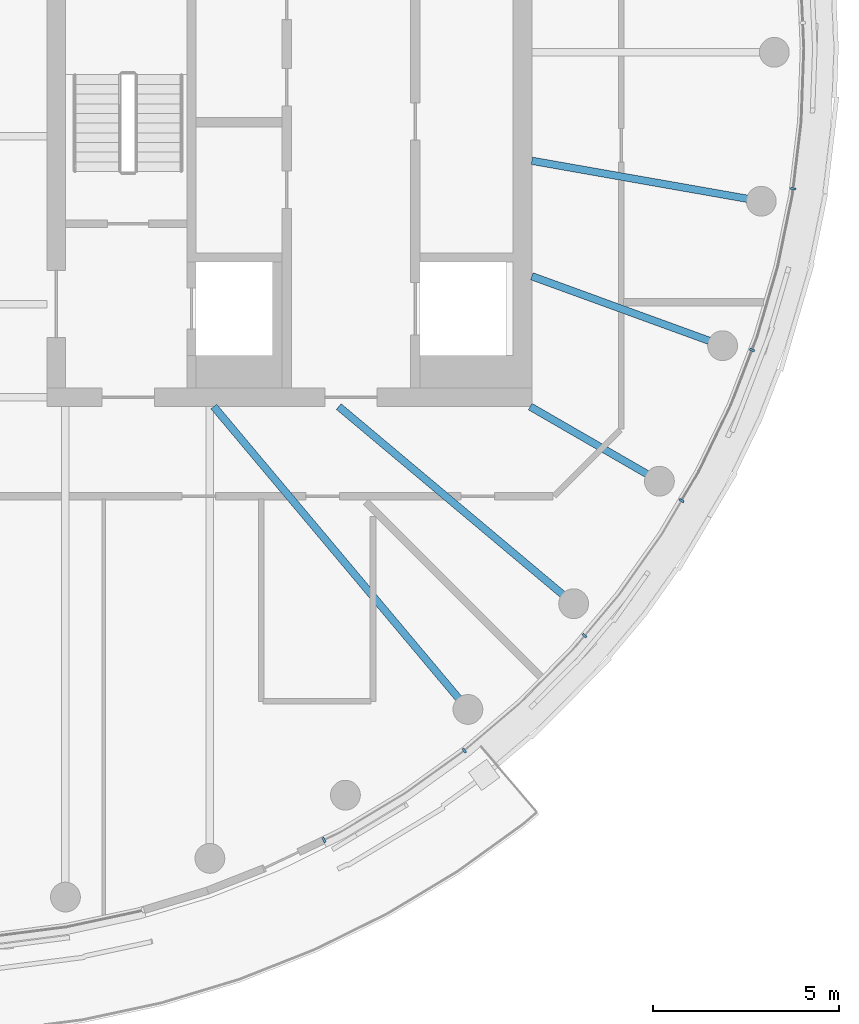
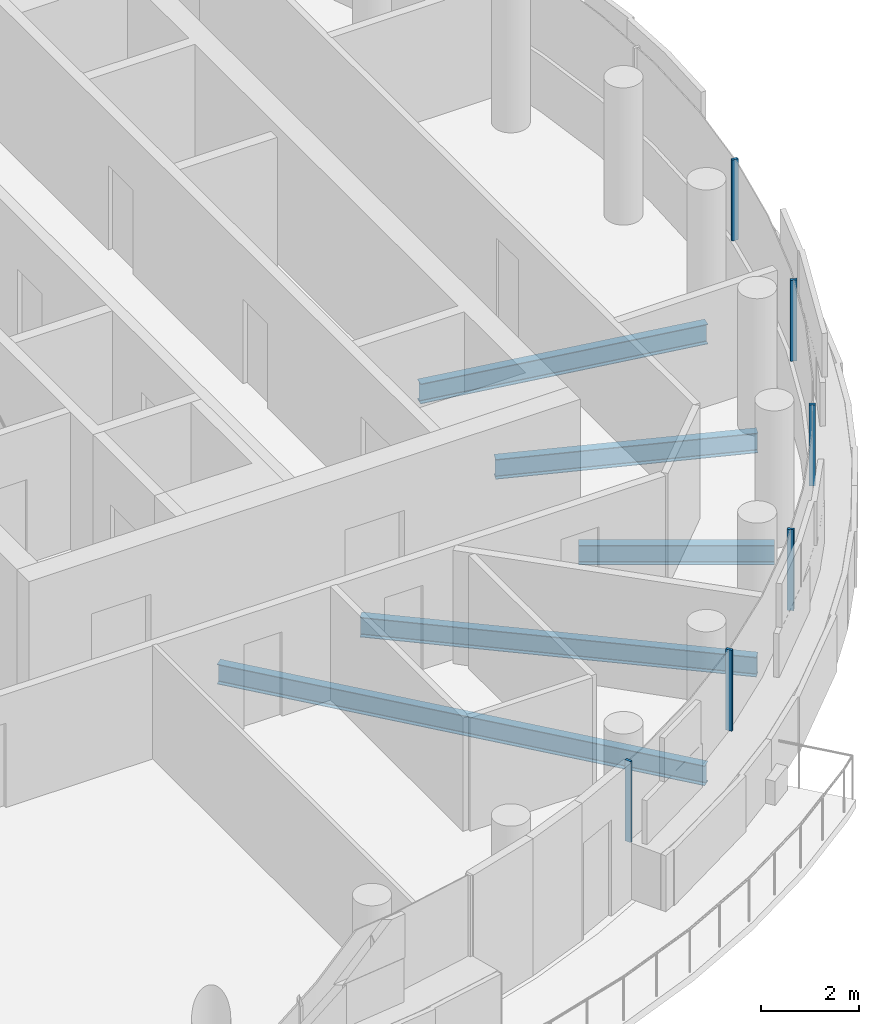
# One storey, part 5 of 20: 6 members, 5 beams, 1 element without a shape of its own.
"""IFC4 building model written with IfcOpenShell, lengths in metres."""

from ifc_helpers import new_model, si_unit, direction, frame, origin, origin_2d, place, context, subcontext, project, spatial, rectangle, i_section, extrude, material, layer, layer_set, material_profile, profile_set, type_object, element, aggregate, save


model = new_model("IFC4")

# Units and contexts
model_context = context("Model", 3, precision=1e-05, world=origin(), true_north=direction((0.0, 1.0)))
body_context = subcontext(model_context, "Body", "Model", "MODEL_VIEW")
ifc_project = project(units=[si_unit("LENGTHUNIT", "METRE"), si_unit("AREAUNIT", "SQUARE_METRE"), si_unit("VOLUMEUNIT", "CUBIC_METRE"), si_unit("PLANEANGLEUNIT", "RADIAN"), si_unit("MASSUNIT", "GRAM", prefix="KILO")], contexts=[model_context])

# Site, building, storey
site_placement = place(None, origin())
site = spatial("IfcSite", under=ifc_project, at=site_placement, CompositionType="ELEMENT")
building_placement = place(site_placement, origin())
building = spatial("IfcBuilding", under=site, at=building_placement, Name="Tamarind Cross Interchange Tower", CompositionType="ELEMENT")
storey_placement = place(building_placement, frame((0.0, 0.0, 274.800048828125)))
storey = spatial("IfcBuildingStorey", under=building, at=storey_placement, Name="L70", CompositionType="ELEMENT", Elevation=274.800048828125)

# Beams
ifc_material_1 = material(Name="Steel Q355B", Category="steel")
ifc_material_profile_1 = material_profile(ifc_material_1, i_section(OverallWidth=0.198974609375, OverallDepth=0.49609375, WebThickness=0.009033203125, FlangeThickness=0.013916015625, FilletRadius=0.012939453125, at=origin_2d()), Name="HN 496x199x9x14")
ifc_profile_set_1 = profile_set([ifc_material_profile_1], Name="Steel Q355B")
beam_type = type_object("IfcBeamType", Name="Composite beam HN 496x199x9x14 Q355B", PredefinedType="BEAM", material=ifc_profile_set_1)
beam_1_placement = place(storey_placement, frame((14.7841796875, -17.619140625, -0.387939453125), z_axis=(-0.642786293979, 0.766045547127, 0.0), x_axis=(-0.766045547127, -0.642786293979, 0.0)))
element("IfcBeam", 1, at=beam_1_placement, inside=storey, type_object=beam_type, Name="Beam HH31", PredefinedType="BEAM", context=body_context, shape_type="SweptSolid", body=[
    extrude(i_section(OverallWidth=0.198974609375, OverallDepth=0.49609375, WebThickness=0.009033203125, FlangeThickness=0.013916015625, FilletRadius=0.012939453125, at=origin_2d()), origin(), (0.0, 0.0, 1.0), 10.598876953125),
])
beam_2_placement = place(storey_placement, frame((17.619140625, -14.7841796875, -0.387939453125), z_axis=(-0.766040580814, 0.642792212574, 0.0), x_axis=(-0.642792212574, -0.766040580814, 0.0)))
element("IfcBeam", 2, at=beam_2_placement, inside=storey, type_object=beam_type, Name="Beam HH32", PredefinedType="BEAM", context=body_context, shape_type="SweptSolid", body=[
    extrude(i_section(OverallWidth=0.198974609375, OverallDepth=0.49609375, WebThickness=0.009033203125, FlangeThickness=0.013916015625, FilletRadius=0.012939453125, at=origin_2d()), origin(), (0.0, 0.0, 1.0), 8.220703125),
])
beam_3_placement = place(storey_placement, frame((19.918701171875, -11.5, -0.387939453125), z_axis=(-0.866026010844, 0.49999894854, 0.0), x_axis=(-0.49999894854, -0.866026010844, 0.0)))
element("IfcBeam", 3, at=beam_3_placement, inside=storey, type_object=beam_type, Name="Beam HH33", PredefinedType="BEAM", context=body_context, shape_type="SweptSolid", body=[
    extrude(i_section(OverallWidth=0.198974609375, OverallDepth=0.49609375, WebThickness=0.009033203125, FlangeThickness=0.013916015625, FilletRadius=0.012939453125, at=origin_2d()), origin(), (0.0, 0.0, 1.0), 4.0),
])
beam_4_placement = place(storey_placement, frame((21.613037109375, -7.866455078125, -0.387939453125), z_axis=(-0.939701685589, 0.341995236956, 0.0), x_axis=(-0.341995236956, -0.939701685589, 0.0)))
element("IfcBeam", 4, at=beam_4_placement, inside=storey, type_object=beam_type, Name="Beam HH34", PredefinedType="BEAM", context=body_context, shape_type="SweptSolid", body=[
    extrude(i_section(OverallWidth=0.198974609375, OverallDepth=0.49609375, WebThickness=0.009033203125, FlangeThickness=0.013916015625, FilletRadius=0.012939453125, at=origin_2d()), origin(), (0.0, 0.0, 1.0), 5.441162109375),
])
beam_5_placement = place(storey_placement, frame((22.650634765625, -3.993896484375, -0.387939453125), z_axis=(-0.984809127561, 0.173640382036, 0.0), x_axis=(-0.173640382036, -0.984809127561, 0.0)))
element("IfcBeam", 5, at=beam_5_placement, inside=storey, type_object=beam_type, Name="Beam HH35", PredefinedType="BEAM", context=body_context, shape_type="SweptSolid", body=[
    extrude(i_section(OverallWidth=0.198974609375, OverallDepth=0.49609375, WebThickness=0.009033203125, FlangeThickness=0.013916015625, FilletRadius=0.012939453125, at=origin_2d()), origin(), (0.0, 0.0, 1.0), 6.24560546875),
])

# Curtain wall, members
ifc_material_2 = material(Name="Aluminium 6063-T6", Category="aluminium")
ifc_layer = layer(ifc_material_2, 0.139892578125)
ifc_layer_set = layer_set([ifc_layer], Name="Aluminium 6063-T6")
curtain_wall_type = type_object("IfcCurtainWallType", Name="Hotel curtain wall, 4.5 m bays", PredefinedType="NOTDEFINED", material=ifc_layer_set)
curtain_wall_placement = place(storey_placement, origin())
curtain_wall = element("IfcCurtainWall", 6, at=curtain_wall_placement, inside=storey, type_object=curtain_wall_type, Name="CWS-L70-01", PredefinedType="NOTDEFINED")
ifc_material_profile_2 = material_profile(ifc_material_2, rectangle(XDim=0.06005859375, YDim=0.139892578125, at=origin_2d()), Name="Mullion CW2")
ifc_profile_set_2 = profile_set([ifc_material_profile_2], Name="Aluminium 6063-T6")
member_type = type_object("IfcMemberType", Name="Mullion CW2", PredefinedType="MULLION", material=ifc_profile_set_2)
member_1_placement = place(storey_placement, frame((10.926025390625, -21.12060546875, 1.39990234375), z_axis=(0.0, 0.0, 1.0), x_axis=(0.896492548518, 0.443058811505, 0.0)))
member_1 = element("IfcMember", 7, at=member_1_placement, type_object=member_type, Name="CWM-L70-01-16", PredefinedType="MULLION", context=body_context, shape_type="SweptSolid", body=[
    extrude(rectangle(XDim=0.06005859375, YDim=0.139892578125, at=origin_2d()), origin(), (0.0, 0.0, 1.0), 2.02001953125),
])
member_2_placement = place(storey_placement, frame((14.686279296875, -18.722412109375, 1.39990234375), z_axis=(0.0, 0.0, 1.0), x_axis=(0.811340475102, 0.584573890505, 0.0)))
member_2 = element("IfcMember", 8, at=member_2_placement, type_object=member_type, Name="CWM-L70-01-17", PredefinedType="MULLION", context=body_context, shape_type="SweptSolid", body=[
    extrude(rectangle(XDim=0.06005859375, YDim=0.139892578125, at=origin_2d()), origin(), (0.0, 0.0, 1.0), 2.02001953125),
])
member_3_placement = place(storey_placement, frame((17.911376953125, -15.64208984375, 1.39990234375), z_axis=(0.0, 0.0, 1.0), x_axis=(0.643009266048, 0.765858396687, 0.0)))
member_3 = element("IfcMember", 9, at=member_3_placement, type_object=member_type, Name="CWM-L70-01-18", PredefinedType="MULLION", context=body_context, shape_type="SweptSolid", body=[
    extrude(rectangle(XDim=0.06005859375, YDim=0.139892578125, at=origin_2d()), origin(), (0.0, 0.0, 1.0), 2.02001953125),
])
member_4_placement = place(storey_placement, frame((20.512939453125, -12.020751953125, 1.39990234375), z_axis=(0.0, 0.0, 1.0), x_axis=(0.508183308752, 0.861248933065, 0.0)))
member_4 = element("IfcMember", 10, at=member_4_placement, type_object=member_type, Name="CWM-L70-01-19", PredefinedType="MULLION", context=body_context, shape_type="SweptSolid", body=[
    extrude(rectangle(XDim=0.06005859375, YDim=0.139892578125, at=origin_2d()), origin(), (0.0, 0.0, 1.0), 2.02001953125),
])
member_5_placement = place(storey_placement, frame((22.403564453125, -7.982666015625, 1.39990234375), z_axis=(0.0, 0.0, 1.0), x_axis=(0.359495435512, 0.933146843667, 0.0)))
member_5 = element("IfcMember", 11, at=member_5_placement, type_object=member_type, Name="CWM-L70-01-20", PredefinedType="MULLION", context=body_context, shape_type="SweptSolid", body=[
    extrude(rectangle(XDim=0.06005859375, YDim=0.139892578125, at=origin_2d()), origin(), (0.0, 0.0, 1.0), 2.02001953125),
])
member_6_placement = place(storey_placement, frame((23.50634765625, -3.661865234375, 1.39990234375), z_axis=(0.0, 0.0, 1.0), x_axis=(0.119420963295, 0.992843710523, 0.0)))
member_6 = element("IfcMember", 12, at=member_6_placement, type_object=member_type, Name="CWM-L70-01-21", PredefinedType="MULLION", context=body_context, shape_type="SweptSolid", body=[
    extrude(rectangle(XDim=0.06005859375, YDim=0.139892578125, at=origin_2d()), origin(), (0.0, 0.0, 1.0), 2.02001953125),
])
aggregate(curtain_wall, [member_1, member_2, member_3, member_4, member_5, member_6])

save(model, "model.ifc")
